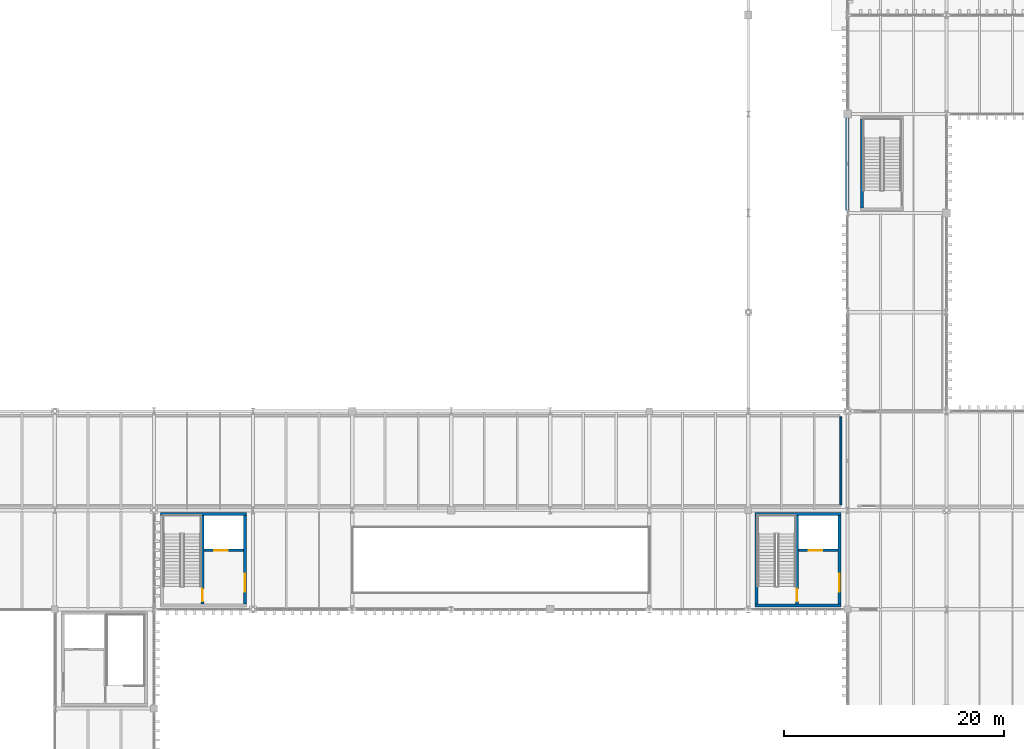
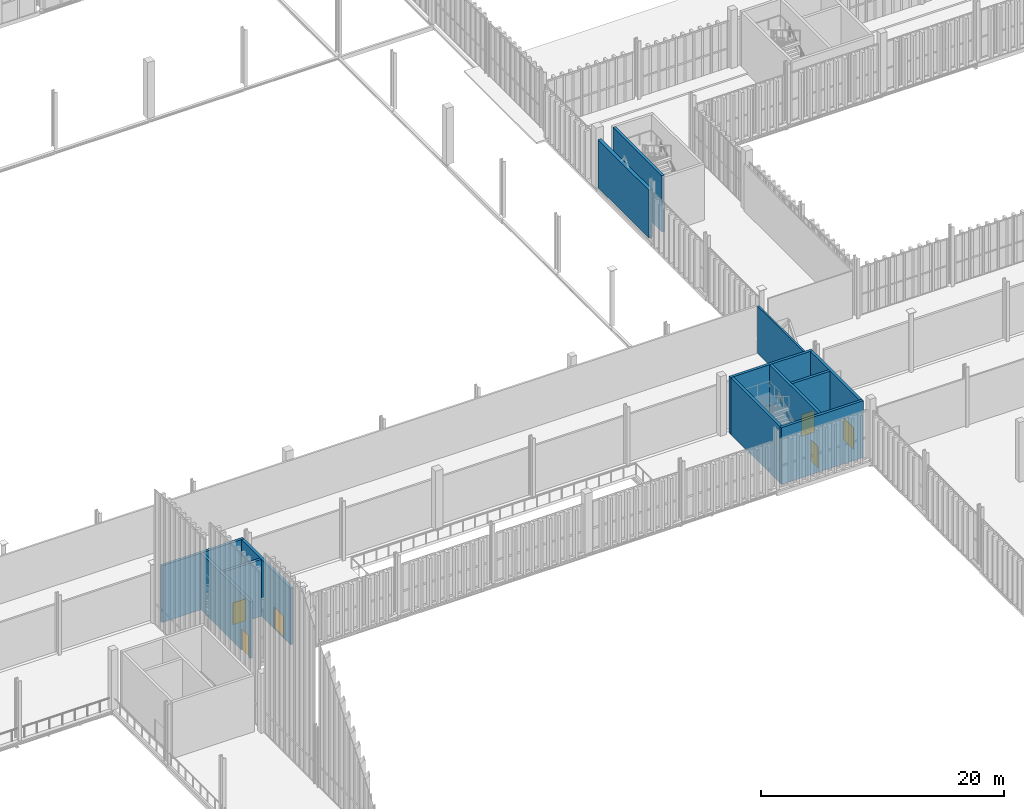
# One storey, part 208 of 237: 13 walls, 6 doors, 6 openings.
"""IFC4 building model written with IfcOpenShell, lengths in metres."""

from ifc_helpers import new_model, si_unit, direction, frame, frame_2d, origin, place, context, subcontext, project, spatial, rectangle, extrude, material, layer, layer_set, type_object, element, fill, save


model = new_model("IFC4")

# Units and contexts
model_context = context("Model", 3, precision=1e-05, world=origin(), true_north=direction((0.0, 1.0)))
body_context = subcontext(model_context, "Body", "Model", "MODEL_VIEW")
ifc_project = project(units=[si_unit("LENGTHUNIT", "METRE"), si_unit("AREAUNIT", "SQUARE_METRE"), si_unit("VOLUMEUNIT", "CUBIC_METRE"), si_unit("PLANEANGLEUNIT", "RADIAN"), si_unit("MASSUNIT", "GRAM", prefix="KILO")], contexts=[model_context])

# Site, building, storey
site_placement = place(None, origin())
site = spatial("IfcSite", under=ifc_project, at=site_placement, CompositionType="ELEMENT")
building_placement = place(site_placement, origin())
building = spatial("IfcBuilding", under=site, at=building_placement, Name="Barlavento Convention Centre", CompositionType="ELEMENT")
storey_placement = place(building_placement, frame((0.0, 0.0, 12.0)))
storey = spatial("IfcBuildingStorey", under=building, at=storey_placement, Name="L02", CompositionType="ELEMENT", Elevation=12.0)

# Walls
ifc_material_1 = material(Name="Macau dark grey granite cladding on Concrete C40/50", Category="masonry")
ifc_layer_1 = layer(ifc_material_1, 0.320068359375)
ifc_layer_set_1 = layer_set([ifc_layer_1], Name="ARC-WL-EXT-320")
wall_type_1 = type_object("IfcWallType", Name="ARC-WL-EXT-320", PredefinedType="SOLIDWALL", material=ifc_layer_set_1)
wall_1_placement = place(storey_placement, frame((126.0, 81.257080078125, 0.0), z_axis=(0.0, 0.0, 1.0), x_axis=(0.0, 1.0, 0.0)))
element("IfcWall", 1, at=wall_1_placement, inside=storey, type_object=wall_type_1, Name="L02 exterior wall EW01", PredefinedType="SOLIDWALL", context=body_context, shape_type="SweptSolid", body=[
    extrude(rectangle(XDim=8.39794921875, YDim=0.320068359375, at=frame_2d((4.198974609375, 0.0))), origin(), (0.0, 0.0, 1.0), 4.800048828125),
])
ifc_material_2 = material(Name="Fire-rated gypsum partition")
ifc_layer_2 = layer(ifc_material_2, 0.169921875)
ifc_layer_set_2 = layer_set([ifc_layer_2], Name="ARC-WL-PART-170")
wall_type_2 = type_object("IfcWallType", Name="ARC-WL-PART-170", PredefinedType="PARTITIONING", material=ifc_layer_set_2)
wall_2_placement = place(storey_placement, frame((125.39990234375, 54.501953125, 0.0), z_axis=(0.0, 0.0, 1.0), x_axis=(0.0, 1.0, 0.0)))
element("IfcWall", 2, at=wall_2_placement, inside=storey, type_object=wall_type_2, Name="L02 interior wall PT-02", PredefinedType="PARTITIONING", context=body_context, shape_type="SweptSolid", body=[
    extrude(rectangle(XDim=7.99609375, YDim=0.169921875, at=frame_2d((3.998046875, 0.0))), origin(), (0.0, 0.0, 1.0), 4.75),
])

# Wall, opening, door
ifc_material_3 = material(Name="Concrete C50/60", Category="concrete")
ifc_layer_3 = layer(ifc_material_3, 0.25)
ifc_layer_set_3 = layer_set([ifc_layer_3], Name="STR-WL-CORE-250")
wall_type_3 = type_object("IfcWallType", Name="STR-WL-CORE-250", PredefinedType="SHEAR", material=ifc_layer_set_3)
wall_3_placement = place(storey_placement, frame((71.27490234375, 45.469970703125, 0.0), z_axis=(0.0, 0.0, 1.0), x_axis=(0.0, 1.0, 0.0)))
wall_3 = element("IfcWall", 3, at=wall_3_placement, inside=storey, type_object=wall_type_3, Name="L02 interior wall CW-02", PredefinedType="SHEAR", context=body_context, shape_type="SweptSolid", body=[
    extrude(rectangle(XDim=8.06005859375, YDim=0.25, at=frame_2d((4.030029296875, 0.0))), origin(), (0.0, 0.0, 1.0), 5.699951171875),
])
opening_1_placement = place(wall_3_placement, frame((1.14990234375, 0.0, 0.0)))
opening_1 = element("IfcOpeningElement", 4, at=opening_1_placement, cuts=wall_3, Name="Opening FD-02", PredefinedType="OPENING", context=body_context, shape_type="SweptSolid", body=[
    extrude(rectangle(XDim=1.60009765625, YDim=2.199951171875, at=frame_2d((0.800048828125, 1.10009765625))), frame((0.0, 0.135009765625, 0.0), z_axis=(0.0, -1.0, 0.0), x_axis=(1.0, 0.0, 0.0)), (0.0, 0.0, 1.0), 0.27001953125),
])
ifc_material_4 = material(Name="Painted galvanized steel", Category="steel")
door_type_1 = type_object("IfcDoorType", Name="ARC-DR-FIRE-1600X2200", OperationType="DOUBLE_DOOR_SINGLE_SWING", PredefinedType="DOOR", material=ifc_material_4)
door_1_placement = place(opening_1_placement, origin())
door_1 = element("IfcDoor", 5, at=door_1_placement, inside=storey, type_object=door_type_1, Name="DR-INT-L02-0036 L02 LP2 lobby fire door", OperationType="DOUBLE_DOOR_SINGLE_SWING", OverallHeight=2.199951171875, OverallWidth=1.60009765625, PredefinedType="DOOR", context=body_context, shape_type="SweptSolid", body=[
    extrude(rectangle(XDim=1.60009765625, YDim=2.199951171875, at=frame_2d((0.800048828125, 1.10009765625))), frame((0.0, 0.02490234375, 0.0), z_axis=(0.0, -1.0, 0.0), x_axis=(1.0, 0.0, 0.0)), (0.0, 0.0, 1.0), 0.050048828125),
])
fill(opening_1, door_1)

# Wall
wall_4_placement = place(storey_placement, frame((63.60009765625, 53.655029296875, 0.0), z_axis=(0.0, 0.0, 1.0), x_axis=(1.0, 0.0, 0.0)))
element("IfcWall", 6, at=wall_4_placement, inside=storey, type_object=wall_type_3, Name="L02 interior wall CW-02", PredefinedType="SHEAR", context=body_context, shape_type="SweptSolid", body=[
    extrude(rectangle(XDim=7.7998046875, YDim=0.25, at=frame_2d((3.89990234375, 0.0))), origin(), (0.0, 0.0, 1.0), 5.699951171875),
])

# Wall, opening, door
wall_5_placement = place(storey_placement, frame((67.4150390625, 45.469970703125, 0.0), z_axis=(0.0, 0.0, 1.0), x_axis=(0.0, 1.0, 0.0)))
wall_5 = element("IfcWall", 7, at=wall_5_placement, inside=storey, type_object=wall_type_3, Name="L02 interior wall CW-02", PredefinedType="SHEAR", context=body_context, shape_type="SweptSolid", body=[
    extrude(rectangle(XDim=8.06005859375, YDim=0.25, at=frame_2d((4.030029296875, 0.0))), origin(), (0.0, 0.0, 1.0), 5.699951171875),
])
opening_2_placement = place(wall_5_placement, frame((0.25, 0.0, 0.0)))
opening_2 = element("IfcOpeningElement", 8, at=opening_2_placement, cuts=wall_5, Name="Opening FD-03", PredefinedType="OPENING", context=body_context, shape_type="SweptSolid", body=[
    extrude(rectangle(XDim=1.14990234375, YDim=2.14990234375, at=frame_2d((0.574951171875, 1.074951171875))), frame((0.0, 0.135009765625, 0.0), z_axis=(0.0, -1.0, 0.0), x_axis=(1.0, 0.0, 0.0)), (0.0, 0.0, 1.0), 0.27001953125),
])
door_type_2 = type_object("IfcDoorType", Name="ARC-DR-FIRE-1150X2150", OperationType="NOTDEFINED", PredefinedType="DOOR", material=ifc_material_4)
door_2_placement = place(opening_2_placement, origin())
door_2 = element("IfcDoor", 9, at=door_2_placement, inside=storey, type_object=door_type_2, Name="DR-INT-L02-0034 L02 ST03 stair fire door FD-03", OperationType="SINGLE_SWING_RIGHT", OverallHeight=2.14990234375, OverallWidth=1.14990234375, PredefinedType="DOOR", context=body_context, shape_type="SweptSolid", body=[
    extrude(rectangle(XDim=1.14990234375, YDim=2.14990234375, at=frame_2d((0.574951171875, 1.074951171875))), frame((0.0, 0.02490234375, 0.0), z_axis=(0.0, -1.0, 0.0), x_axis=(1.0, 0.0, 0.0)), (0.0, 0.0, 1.0), 0.050048828125),
])
fill(opening_2, door_2)

wall_6_placement = place(storey_placement, frame((67.5400390625, 50.3701171875, 0.0), z_axis=(0.0, 0.0, 1.0), x_axis=(1.0, 0.0, 0.0)))
wall_6 = element("IfcWall", 10, at=wall_6_placement, inside=storey, type_object=wall_type_3, Name="L02 interior wall CW-02", PredefinedType="SHEAR", context=body_context, shape_type="SweptSolid", body=[
    extrude(rectangle(XDim=3.60986328125, YDim=0.25, at=frame_2d((1.804931640625, 0.0))), origin(), (0.0, 0.0, 1.0), 5.699951171875),
])
opening_3_placement = place(wall_6_placement, frame((0.949951171875, 0.0, 0.0)))
opening_3 = element("IfcOpeningElement", 11, at=opening_3_placement, cuts=wall_6, Name="Opening LD-01", PredefinedType="OPENING", context=body_context, shape_type="SweptSolid", body=[
    extrude(rectangle(XDim=1.199951171875, YDim=2.199951171875, at=frame_2d((0.60009765625, 1.10009765625))), frame((0.0, 0.135009765625, 0.0), z_axis=(0.0, -1.0, 0.0), x_axis=(1.0, 0.0, 0.0)), (0.0, 0.0, 1.0), 0.27001953125),
])
ifc_material_5 = material(Name="Brushed stainless steel", Category="steel")
door_type_3 = type_object("IfcDoorType", Name="ARC-DR-LIFT-1200X2200", OperationType="DOUBLE_DOOR_SLIDING", PredefinedType="DOOR", material=ifc_material_5)
door_3_placement = place(opening_3_placement, origin())
door_3 = element("IfcDoor", 12, at=door_3_placement, inside=storey, type_object=door_type_3, Name="DR-INT-L02-0035 LP2 lift sliding landing door", OperationType="DOUBLE_DOOR_SLIDING", OverallHeight=2.199951171875, OverallWidth=1.199951171875, PredefinedType="DOOR", context=body_context, shape_type="SweptSolid", body=[
    extrude(rectangle(XDim=1.199951171875, YDim=2.199951171875, at=frame_2d((0.60009765625, 1.10009765625))), frame((0.0, 0.02490234375, 0.0), z_axis=(0.0, -1.0, 0.0), x_axis=(1.0, 0.0, 0.0)), (0.0, 0.0, 1.0), 0.050048828125),
])
fill(opening_3, door_3)

# Wall
wall_7_placement = place(storey_placement, frame((117.72509765625, 45.469970703125, 0.0), z_axis=(0.0, 0.0, 1.0), x_axis=(0.0, 1.0, 0.0)))
element("IfcWall", 13, at=wall_7_placement, inside=storey, type_object=wall_type_3, Name="L02 interior wall CW-02", PredefinedType="SHEAR", context=body_context, shape_type="SweptSolid", body=[
    extrude(rectangle(XDim=8.06005859375, YDim=0.25, at=frame_2d((4.030029296875, 0.0))), origin(), (0.0, 0.0, 1.0), 5.699951171875),
])

# Wall, opening, door
wall_8_placement = place(storey_placement, frame((125.27490234375, 45.469970703125, 0.0), z_axis=(0.0, 0.0, 1.0), x_axis=(0.0, 1.0, 0.0)))
wall_8 = element("IfcWall", 14, at=wall_8_placement, inside=storey, type_object=wall_type_3, Name="L02 interior wall CW-02", PredefinedType="SHEAR", context=body_context, shape_type="SweptSolid", body=[
    extrude(rectangle(XDim=8.06005859375, YDim=0.25, at=frame_2d((4.030029296875, 0.0))), origin(), (0.0, 0.0, 1.0), 5.699951171875),
])
opening_4_placement = place(wall_8_placement, frame((1.14990234375, 0.0, 0.0)))
opening_4 = element("IfcOpeningElement", 15, at=opening_4_placement, cuts=wall_8, Name="Opening FD-02", PredefinedType="OPENING", context=body_context, shape_type="SweptSolid", body=[
    extrude(rectangle(XDim=1.60009765625, YDim=2.199951171875, at=frame_2d((0.800048828125, 1.10009765625))), frame((0.0, 0.135009765625, 0.0), z_axis=(0.0, -1.0, 0.0), x_axis=(1.0, 0.0, 0.0)), (0.0, 0.0, 1.0), 0.27001953125),
])
door_4_placement = place(opening_4_placement, origin())
door_4 = element("IfcDoor", 16, at=door_4_placement, inside=storey, type_object=door_type_1, Name="DR-INT-L02-0051 L02 LP3 lobby fire door", OperationType="DOUBLE_DOOR_SINGLE_SWING", OverallHeight=2.199951171875, OverallWidth=1.60009765625, PredefinedType="DOOR", context=body_context, shape_type="SweptSolid", body=[
    extrude(rectangle(XDim=1.60009765625, YDim=2.199951171875, at=frame_2d((0.800048828125, 1.10009765625))), frame((0.0, 0.02490234375, 0.0), z_axis=(0.0, -1.0, 0.0), x_axis=(1.0, 0.0, 0.0)), (0.0, 0.0, 1.0), 0.050048828125),
])
fill(opening_4, door_4)

# Walls
for number, where, z_axis, x_axis, name in (
    (17, (117.60009765625, 45.344970703125, 0.0), (0.0, 0.0, 1.0), (1.0, 0.0, 0.0), "L02 interior wall CW-02"),
    (18, (117.60009765625, 53.655029296875, 0.0), (0.0, 0.0, 1.0), (1.0, 0.0, 0.0), "L02 interior wall CW-02"),
):
    element("IfcWall", number, at=place(storey_placement, frame(where, z_axis=z_axis, x_axis=x_axis)), inside=storey, type_object=wall_type_3, Name=name, PredefinedType="SHEAR", context=body_context, shape_type="SweptSolid", body=[
        extrude(rectangle(XDim=7.7998046875, YDim=0.25, at=frame_2d((3.89990234375, 0.0))), origin(), (0.0, 0.0, 1.0), 5.699951171875),
    ])

# Wall, opening, door
wall_9_placement = place(storey_placement, frame((121.4150390625, 45.469970703125, 0.0), z_axis=(0.0, 0.0, 1.0), x_axis=(0.0, 1.0, 0.0)))
wall_9 = element("IfcWall", 19, at=wall_9_placement, inside=storey, type_object=wall_type_3, Name="L02 interior wall CW-02", PredefinedType="SHEAR", context=body_context, shape_type="SweptSolid", body=[
    extrude(rectangle(XDim=8.06005859375, YDim=0.25, at=frame_2d((4.030029296875, 0.0))), origin(), (0.0, 0.0, 1.0), 5.699951171875),
])
opening_5_placement = place(wall_9_placement, frame((0.25, 0.0, 0.0)))
opening_5 = element("IfcOpeningElement", 20, at=opening_5_placement, cuts=wall_9, Name="Opening FD-03", PredefinedType="OPENING", context=body_context, shape_type="SweptSolid", body=[
    extrude(rectangle(XDim=1.14990234375, YDim=2.14990234375, at=frame_2d((0.574951171875, 1.074951171875))), frame((0.0, 0.135009765625, 0.0), z_axis=(0.0, -1.0, 0.0), x_axis=(1.0, 0.0, 0.0)), (0.0, 0.0, 1.0), 0.27001953125),
])
door_5_placement = place(opening_5_placement, origin())
door_5 = element("IfcDoor", 21, at=door_5_placement, inside=storey, type_object=door_type_2, Name="DR-INT-L02-0049 L02 ST04 stair fire door FD-03", OperationType="SINGLE_SWING_LEFT", OverallHeight=2.14990234375, OverallWidth=1.14990234375, PredefinedType="DOOR", context=body_context, shape_type="SweptSolid", body=[
    extrude(rectangle(XDim=1.14990234375, YDim=2.14990234375, at=frame_2d((0.574951171875, 1.074951171875))), frame((0.0, 0.02490234375, 0.0), z_axis=(0.0, -1.0, 0.0), x_axis=(1.0, 0.0, 0.0)), (0.0, 0.0, 1.0), 0.050048828125),
])
fill(opening_5, door_5)

wall_10_placement = place(storey_placement, frame((121.5400390625, 50.3701171875, 0.0), z_axis=(0.0, 0.0, 1.0), x_axis=(1.0, 0.0, 0.0)))
wall_10 = element("IfcWall", 22, at=wall_10_placement, inside=storey, type_object=wall_type_3, Name="L02 interior wall CW-02", PredefinedType="SHEAR", context=body_context, shape_type="SweptSolid", body=[
    extrude(rectangle(XDim=3.60986328125, YDim=0.25, at=frame_2d((1.804931640625, 0.0))), origin(), (0.0, 0.0, 1.0), 5.699951171875),
])
opening_6_placement = place(wall_10_placement, frame((0.949951171875, 0.0, 0.0)))
opening_6 = element("IfcOpeningElement", 23, at=opening_6_placement, cuts=wall_10, Name="Opening LD-01", PredefinedType="OPENING", context=body_context, shape_type="SweptSolid", body=[
    extrude(rectangle(XDim=1.199951171875, YDim=2.199951171875, at=frame_2d((0.60009765625, 1.10009765625))), frame((0.0, 0.135009765625, 0.0), z_axis=(0.0, -1.0, 0.0), x_axis=(1.0, 0.0, 0.0)), (0.0, 0.0, 1.0), 0.27001953125),
])
door_6_placement = place(opening_6_placement, origin())
door_6 = element("IfcDoor", 24, at=door_6_placement, inside=storey, type_object=door_type_3, Name="DR-INT-L02-0050 LP3 lift sliding landing door", OperationType="DOUBLE_DOOR_SLIDING", OverallHeight=2.199951171875, OverallWidth=1.199951171875, PredefinedType="DOOR", context=body_context, shape_type="SweptSolid", body=[
    extrude(rectangle(XDim=1.199951171875, YDim=2.199951171875, at=frame_2d((0.60009765625, 1.10009765625))), frame((0.0, 0.02490234375, 0.0), z_axis=(0.0, -1.0, 0.0), x_axis=(1.0, 0.0, 0.0)), (0.0, 0.0, 1.0), 0.050048828125),
])
fill(opening_6, door_6)

# Wall
wall_11_placement = place(storey_placement, frame((127.324951171875, 81.469970703125, 0.0), z_axis=(0.0, 0.0, 1.0), x_axis=(0.0, 1.0, 0.0)))
element("IfcWall", 25, at=wall_11_placement, inside=storey, type_object=wall_type_3, Name="L02 interior wall CW-02", PredefinedType="SHEAR", context=body_context, shape_type="SweptSolid", body=[
    extrude(rectangle(XDim=8.06005859375, YDim=0.25, at=frame_2d((4.030029296875, 0.0))), origin(), (0.0, 0.0, 1.0), 5.639892578125),
])

save(model, "model.ifc")
